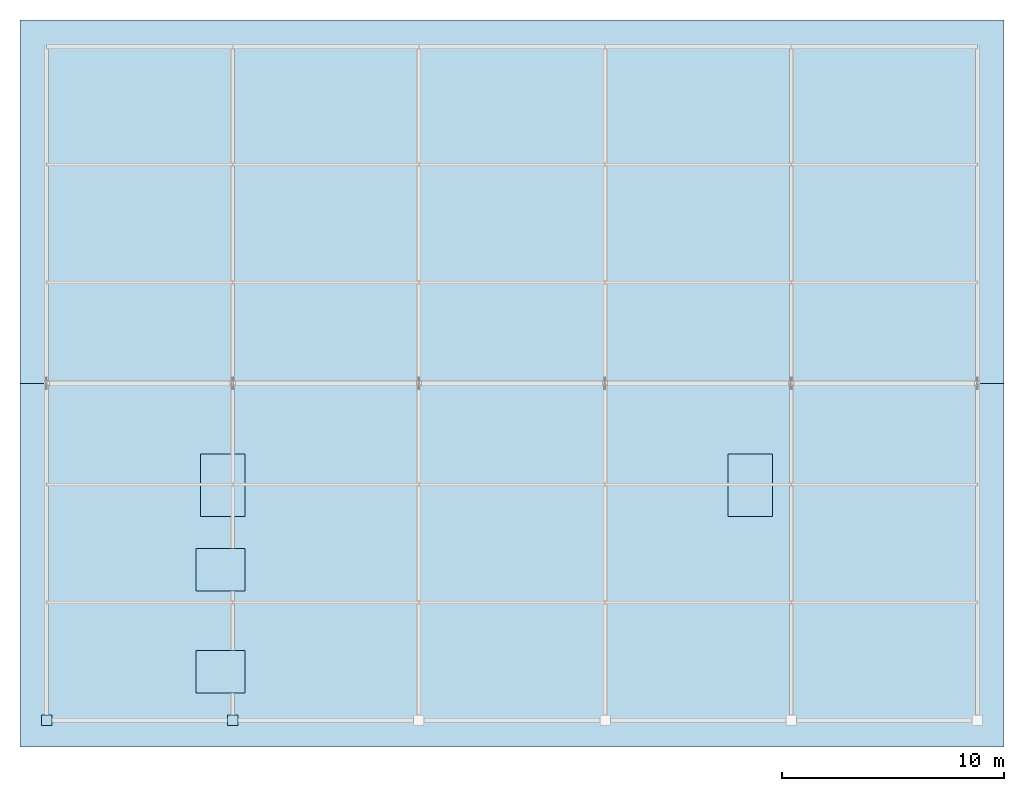
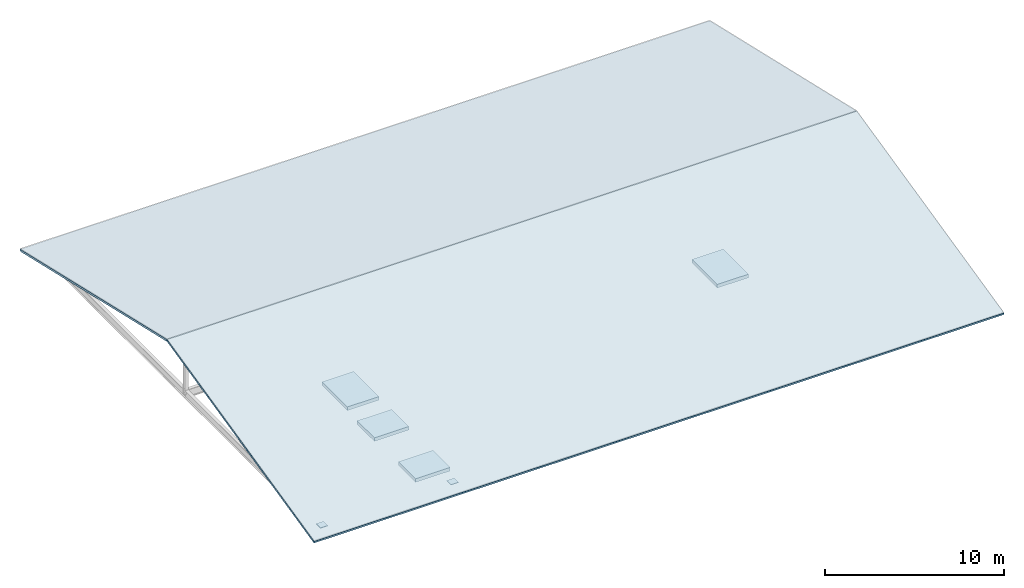
# One storey, part 5 of 8: 6 slabs, 2 plates.
"""IFC4 building model written with IfcOpenShell, lengths in metres."""

from ifc_helpers import new_model, si_unit, direction, frame, origin, origin_2d, place, context, subcontext, project, spatial, polyline, rectangle, outline, extrude, material, layer, layer_set, type_object, element, save


model = new_model("IFC4")

# Units and contexts
model_context = context("Model", 3, precision=1e-05, world=origin(), true_north=direction((0.0, 1.0)))
body_context = subcontext(model_context, "Body", "Model", "MODEL_VIEW")
ifc_project = project(units=[si_unit("LENGTHUNIT", "METRE"), si_unit("AREAUNIT", "SQUARE_METRE"), si_unit("VOLUMEUNIT", "CUBIC_METRE"), si_unit("PLANEANGLEUNIT", "RADIAN"), si_unit("MASSUNIT", "GRAM", prefix="KILO")], contexts=[model_context])

# Site, building, storey
site_placement = place(None, origin())
site = spatial("IfcSite", under=ifc_project, at=site_placement, CompositionType="ELEMENT")
building_placement = place(site_placement, origin())
building = spatial("IfcBuilding", under=site, at=building_placement, Name="Zuvorla Pavilion Media Centre", CompositionType="ELEMENT")
storey_placement = place(building_placement, frame((0.0, 0.0, 31.199951171875)))
storey = spatial("IfcBuildingStorey", under=building, at=storey_placement, Name="RF", CompositionType="ELEMENT", Elevation=31.199951171875)

# Plates
ifc_material_1 = material(Name="Steel S355", Category="steel")
ifc_layer_1 = layer(ifc_material_1, 0.0380859375)
ifc_layer_set_1 = layer_set([ifc_layer_1], Name="Steel S355")
plate_type = type_object("IfcPlateType", Name="PLT-BAS-38", PredefinedType="USERDEFINED", material=ifc_layer_set_1)
for number, where, z_axis, x_axis, name in (
    (1, (66.800048828125, 6.0, -0.0390625), (0.0, 0.0, 1.0), (1.0, 0.0, 0.0), "RF base plate BP38 151"),
    (2, (75.199951171875, 6.0, -0.0390625), (0.0, 0.0, 1.0), (1.0, 0.0, 0.0), "RF base plate BP38 153"),
):
    element("IfcPlate", number, at=place(storey_placement, frame(where, z_axis=z_axis, x_axis=x_axis)), inside=storey, type_object=plate_type, Name=name, ObjectType="BASE_PLATE", PredefinedType="USERDEFINED", context=body_context, shape_type="SweptSolid", body=[
        extrude(rectangle(XDim=0.47998046875, YDim=0.47998046875, at=origin_2d()), origin(), (0.0, 0.0, 1.0), 0.0380859375),
    ])

# Slabs
ifc_material_2 = material(Name="Concrete C32/40", Category="concrete")
ifc_layer_2 = layer(ifc_material_2, 0.139892578125)
ifc_layer_set_2 = layer_set([ifc_layer_2], Name="Concrete C32/40")
slab_type_1 = type_object("IfcSlabType", Name="SLB-ROOF-140", PredefinedType="ROOF", material=ifc_layer_set_2)
slab_1_placement = place(storey_placement, frame((65.60009765625, 4.800048828125, 0.0), z_axis=(0.0, -0.225152926871, 0.974323436812), x_axis=(1.0, 0.0, 0.0)))
element("IfcSlab", 3, at=slab_1_placement, inside=storey, type_object=slab_type_1, Name="RF tropical canopy roof south", PredefinedType="ROOF", context=body_context, shape_type="SweptSolid", body=[
    extrude(outline(polyline([(0.0, 0.0), (44.39990234375, 0.0), (44.39990234375, 16.832092633846997), (0.0, 16.832092633846997), (0.0, 0.0)])), origin(), (0.0, 0.0, -1.0), 0.139892578125),
])
slab_2_placement = place(storey_placement, frame((110.0, 37.60009765625, 0.0), z_axis=(0.0, 0.225149745043, 0.974324172084), x_axis=(-1.0, 0.0, 0.0)))
element("IfcSlab", 4, at=slab_2_placement, inside=storey, type_object=slab_type_1, Name="RF tropical canopy roof north", PredefinedType="ROOF", context=body_context, shape_type="SweptSolid", body=[
    extrude(outline(polyline([(0.0, 0.0), (44.39990234375, 0.0), (44.39990234375, 16.832330505869567), (0.0, 16.832330505869567), (0.0, 0.0)])), origin(), (0.0, 0.0, -1.0), 0.139892578125),
])
ifc_layer_3 = layer(ifc_material_2, 0.239990234375)
ifc_layer_set_3 = layer_set([ifc_layer_3], Name="Concrete C32/40")
slab_type_2 = type_object("IfcSlabType", Name="SLB-ROOF-240", PredefinedType="ROOF", material=ifc_layer_set_3)
slab_3_placement = place(storey_placement, frame((0.0, 0.0, -0.239990234375)))
element("IfcSlab", 5, at=slab_3_placement, inside=storey, type_object=slab_type_2, Name="RF LF-01 lift overrun roof", PredefinedType="ROOF", context=body_context, shape_type="SweptSolid", body=[
    extrude(outline(polyline([(73.5400390625, 7.239990234375), (75.760009765625, 7.239990234375), (75.760009765625, 9.159912109375), (73.5400390625, 9.159912109375), (73.5400390625, 7.239990234375)])), origin(), (0.0, 0.0, 1.0), 0.239990234375),
])
slab_4_placement = place(storey_placement, frame((0.0, 0.0, -0.239990234375)))
element("IfcSlab", 6, at=slab_4_placement, inside=storey, type_object=slab_type_2, Name="RF LF-02 lift overrun roof", PredefinedType="ROOF", context=body_context, shape_type="SweptSolid", body=[
    extrude(outline(polyline([(73.5400390625, 11.840087890625), (75.760009765625, 11.840087890625), (75.760009765625, 13.760009765625), (73.5400390625, 13.760009765625), (73.5400390625, 11.840087890625)])), origin(), (0.0, 0.0, 1.0), 0.239990234375),
])
slab_5_placement = place(storey_placement, frame((0.0, 0.0, -0.239990234375)))
element("IfcSlab", 7, at=slab_5_placement, inside=storey, type_object=slab_type_2, Name="RF LF-03 lift overrun roof", PredefinedType="ROOF", context=body_context, shape_type="SweptSolid", body=[
    extrude(outline(polyline([(73.739990234375, 15.18994140625), (75.760009765625, 15.18994140625), (75.760009765625, 18.010009765625), (73.739990234375, 18.010009765625), (73.739990234375, 15.18994140625)])), origin(), (0.0, 0.0, 1.0), 0.239990234375),
])
slab_6_placement = place(storey_placement, frame((0.0, 0.0, -0.239990234375)))
element("IfcSlab", 8, at=slab_6_placement, inside=storey, type_object=slab_type_2, Name="RF LF-04 lift overrun roof", PredefinedType="ROOF", context=body_context, shape_type="SweptSolid", body=[
    extrude(outline(polyline([(97.5400390625, 15.18994140625), (99.56005859375, 15.18994140625), (99.56005859375, 18.010009765625), (97.5400390625, 18.010009765625), (97.5400390625, 15.18994140625)])), origin(), (0.0, 0.0, 1.0), 0.239990234375),
])

save(model, "model.ifc")
